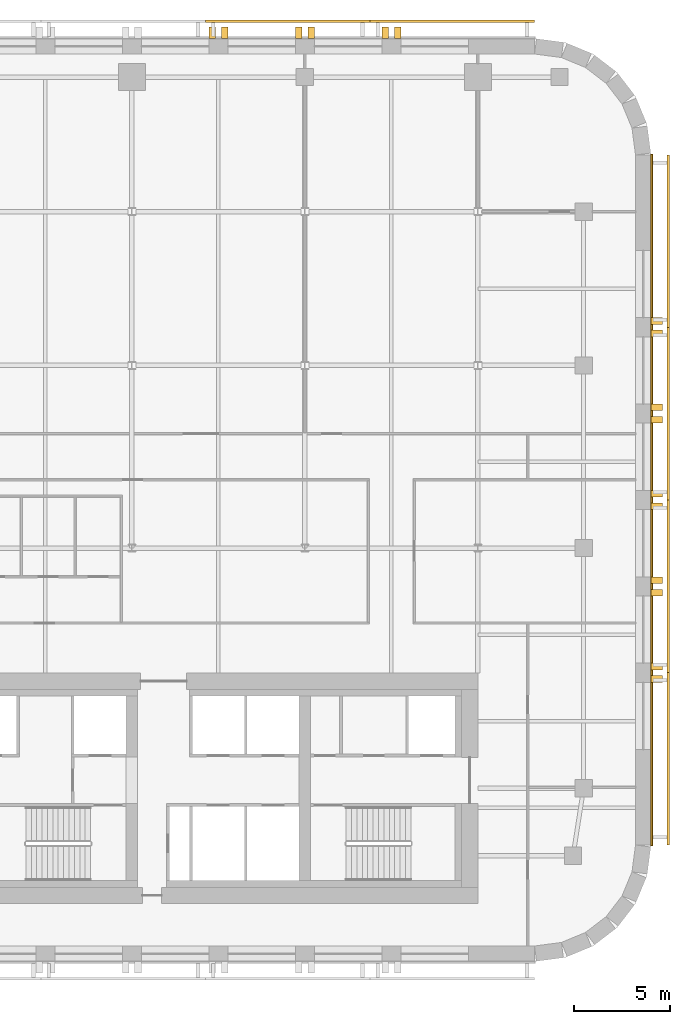
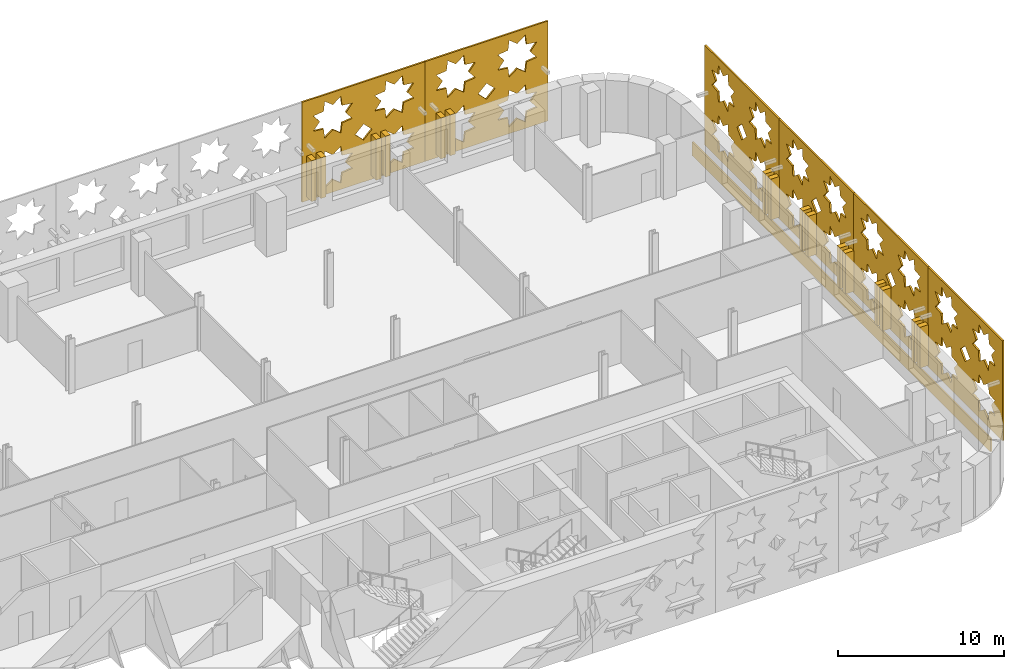
# One storey, part 12 of 12: 23 coverings.
"""IFC4 building model written with IfcOpenShell, lengths in metres."""

from ifc_helpers import new_model, si_unit, direction, frame, origin, place, context, subcontext, project, spatial, polyline, outline, extrude, material, layer, layer_set, type_object, element, save


model = new_model("IFC4")

# Units and contexts
model_context = context("Model", 3, precision=1e-05, world=origin(), true_north=direction((0.0, 1.0)))
body_context = subcontext(model_context, "Body", "Model", "MODEL_VIEW")
ifc_project = project(units=[si_unit("LENGTHUNIT", "METRE"), si_unit("AREAUNIT", "SQUARE_METRE"), si_unit("VOLUMEUNIT", "CUBIC_METRE"), si_unit("PLANEANGLEUNIT", "RADIAN"), si_unit("MASSUNIT", "GRAM", prefix="KILO")], contexts=[model_context])

# Site, building, storey
site_placement = place(None, origin())
site = spatial("IfcSite", under=ifc_project, at=site_placement, CompositionType="ELEMENT")
building_placement = place(site_placement, origin())
building = spatial("IfcBuilding", under=site, at=building_placement, Name="Zellij Exchange Tower", CompositionType="ELEMENT")
storey_placement = place(building_placement, frame((0.0, 0.0, 196.5)))
storey = spatial("IfcBuildingStorey", under=building, at=storey_placement, Name="L45", CompositionType="ELEMENT", Elevation=196.5)

# Coverings
ifc_material_1 = material(Name="Limestone cladding", Category="masonry")
covering_type_1 = type_object("IfcCoveringType", Name="ENV-CV3 Stone pier 350x600", PredefinedType="CLADDING", material=ifc_material_1)
covering_1_placement = place(storey_placement, frame((0.0, 0.0, 0.800048828125)))
element("IfcCovering", 1, at=covering_1_placement, inside=storey, type_object=covering_type_1, Name="Stone pier", PredefinedType="CLADDING", context=body_context, shape_type="SweptSolid", body=[
    extrude(outline(polyline([(36.0, -2.48681640625), (36.0, -2.136962890625), (36.60009765625, -2.136962890625), (36.60009765625, -2.48681640625), (36.0, -2.48681640625)])), origin(), (0.0, 0.0, 1.0), 3.0),
])
covering_2_placement = place(storey_placement, frame((0.0, 0.0, 0.800048828125)))
element("IfcCovering", 2, at=covering_2_placement, inside=storey, type_object=covering_type_1, Name="Stone pier", PredefinedType="CLADDING", context=body_context, shape_type="SweptSolid", body=[
    extrude(outline(polyline([(36.0, -1.8369140625), (36.0, -1.48681640625), (36.60009765625, -1.48681640625), (36.60009765625, -1.8369140625), (36.0, -1.8369140625)])), origin(), (0.0, 0.0, 1.0), 3.0),
])
covering_3_placement = place(storey_placement, frame((0.0, 0.0, 0.800048828125)))
element("IfcCovering", 3, at=covering_3_placement, inside=storey, type_object=covering_type_1, Name="Stone pier", PredefinedType="CLADDING", context=body_context, shape_type="SweptSolid", body=[
    extrude(outline(polyline([(36.0, 2.006591796875), (36.0, 2.3564453125), (36.60009765625, 2.3564453125), (36.60009765625, 2.006591796875), (36.0, 2.006591796875)])), origin(), (0.0, 0.0, 1.0), 3.0),
])
covering_4_placement = place(storey_placement, frame((0.0, 0.0, 0.800048828125)))
element("IfcCovering", 4, at=covering_4_placement, inside=storey, type_object=covering_type_1, Name="Stone pier", PredefinedType="CLADDING", context=body_context, shape_type="SweptSolid", body=[
    extrude(outline(polyline([(36.0, 2.656494140625), (36.0, 3.006591796875), (36.60009765625, 3.006591796875), (36.60009765625, 2.656494140625), (36.0, 2.656494140625)])), origin(), (0.0, 0.0, 1.0), 3.0),
])
covering_5_placement = place(storey_placement, frame((0.0, 0.0, 0.800048828125)))
element("IfcCovering", 5, at=covering_5_placement, inside=storey, type_object=covering_type_1, Name="Stone pier", PredefinedType="CLADDING", context=body_context, shape_type="SweptSolid", body=[
    extrude(outline(polyline([(36.0, 6.5), (36.0, 6.85009765625), (36.60009765625, 6.85009765625), (36.60009765625, 6.5), (36.0, 6.5)])), origin(), (0.0, 0.0, 1.0), 3.0),
])
covering_6_placement = place(storey_placement, frame((0.0, 0.0, 0.800048828125)))
element("IfcCovering", 6, at=covering_6_placement, inside=storey, type_object=covering_type_1, Name="Stone pier", PredefinedType="CLADDING", context=body_context, shape_type="SweptSolid", body=[
    extrude(outline(polyline([(36.0, 7.14990234375), (36.0, 7.5), (36.60009765625, 7.5), (36.60009765625, 7.14990234375), (36.0, 7.14990234375)])), origin(), (0.0, 0.0, 1.0), 3.0),
])
covering_7_placement = place(storey_placement, frame((0.0, 0.0, 0.800048828125)))
element("IfcCovering", 7, at=covering_7_placement, inside=storey, type_object=covering_type_1, Name="Stone pier", PredefinedType="CLADDING", context=body_context, shape_type="SweptSolid", body=[
    extrude(outline(polyline([(36.0, 10.993408203125), (36.0, 11.343505859375), (36.60009765625, 11.343505859375), (36.60009765625, 10.993408203125), (36.0, 10.993408203125)])), origin(), (0.0, 0.0, 1.0), 3.0),
])
covering_8_placement = place(storey_placement, frame((0.0, 0.0, 0.800048828125)))
element("IfcCovering", 8, at=covering_8_placement, inside=storey, type_object=covering_type_1, Name="Stone pier", PredefinedType="CLADDING", context=body_context, shape_type="SweptSolid", body=[
    extrude(outline(polyline([(36.0, 11.643310546875), (36.0, 11.993408203125), (36.60009765625, 11.993408203125), (36.60009765625, 11.643310546875), (36.0, 11.643310546875)])), origin(), (0.0, 0.0, 1.0), 3.0),
])
covering_9_placement = place(storey_placement, frame((0.0, 0.0, 0.800048828125)))
element("IfcCovering", 9, at=covering_9_placement, inside=storey, type_object=covering_type_1, Name="Stone pier", PredefinedType="CLADDING", context=body_context, shape_type="SweptSolid", body=[
    extrude(outline(polyline([(36.0, 15.48681640625), (36.0, 15.8369140625), (36.60009765625, 15.8369140625), (36.60009765625, 15.48681640625), (36.0, 15.48681640625)])), origin(), (0.0, 0.0, 1.0), 3.0),
])
covering_10_placement = place(storey_placement, frame((0.0, 0.0, 0.800048828125)))
element("IfcCovering", 10, at=covering_10_placement, inside=storey, type_object=covering_type_1, Name="Stone pier", PredefinedType="CLADDING", context=body_context, shape_type="SweptSolid", body=[
    extrude(outline(polyline([(36.0, 16.136962890625), (36.0, 16.48681640625), (36.60009765625, 16.48681640625), (36.60009765625, 16.136962890625), (36.0, 16.136962890625)])), origin(), (0.0, 0.0, 1.0), 3.0),
])
covering_11_placement = place(storey_placement, frame((0.0, 0.0, 0.800048828125)))
element("IfcCovering", 11, at=covering_11_placement, inside=storey, type_object=covering_type_1, Name="Stone pier", PredefinedType="CLADDING", context=body_context, shape_type="SweptSolid", body=[
    extrude(outline(polyline([(23.0, 31.0), (22.64990234375, 31.0), (22.64990234375, 31.60009765625), (23.0, 31.60009765625), (23.0, 31.0)])), origin(), (0.0, 0.0, 1.0), 3.0),
])
covering_12_placement = place(storey_placement, frame((0.0, 0.0, 0.800048828125)))
element("IfcCovering", 12, at=covering_12_placement, inside=storey, type_object=covering_type_1, Name="Stone pier", PredefinedType="CLADDING", context=body_context, shape_type="SweptSolid", body=[
    extrude(outline(polyline([(22.35009765625, 31.0), (22.0, 31.0), (22.0, 31.60009765625), (22.35009765625, 31.60009765625), (22.35009765625, 31.0)])), origin(), (0.0, 0.0, 1.0), 3.0),
])
covering_13_placement = place(storey_placement, frame((0.0, 0.0, 0.800048828125)))
element("IfcCovering", 13, at=covering_13_placement, inside=storey, type_object=covering_type_1, Name="Stone pier", PredefinedType="CLADDING", context=body_context, shape_type="SweptSolid", body=[
    extrude(outline(polyline([(18.5, 31.0), (18.14990234375, 31.0), (18.14990234375, 31.60009765625), (18.5, 31.60009765625), (18.5, 31.0)])), origin(), (0.0, 0.0, 1.0), 3.0),
])
covering_14_placement = place(storey_placement, frame((0.0, 0.0, 0.800048828125)))
element("IfcCovering", 14, at=covering_14_placement, inside=storey, type_object=covering_type_1, Name="Stone pier", PredefinedType="CLADDING", context=body_context, shape_type="SweptSolid", body=[
    extrude(outline(polyline([(17.85009765625, 31.0), (17.5, 31.0), (17.5, 31.60009765625), (17.85009765625, 31.60009765625), (17.85009765625, 31.0)])), origin(), (0.0, 0.0, 1.0), 3.0),
])
covering_15_placement = place(storey_placement, frame((0.0, 0.0, 0.800048828125)))
element("IfcCovering", 15, at=covering_15_placement, inside=storey, type_object=covering_type_1, Name="Stone pier", PredefinedType="CLADDING", context=body_context, shape_type="SweptSolid", body=[
    extrude(outline(polyline([(14.0, 31.0), (13.64990234375, 31.0), (13.64990234375, 31.60009765625), (14.0, 31.60009765625), (14.0, 31.0)])), origin(), (0.0, 0.0, 1.0), 3.0),
])
covering_16_placement = place(storey_placement, frame((0.0, 0.0, 0.800048828125)))
element("IfcCovering", 16, at=covering_16_placement, inside=storey, type_object=covering_type_1, Name="Stone pier", PredefinedType="CLADDING", context=body_context, shape_type="SweptSolid", body=[
    extrude(outline(polyline([(13.35009765625, 31.0), (13.0, 31.0), (13.0, 31.60009765625), (13.35009765625, 31.60009765625), (13.35009765625, 31.0)])), origin(), (0.0, 0.0, 1.0), 3.0),
])
ifc_layer_1 = layer(ifc_material_1, 0.10009765625)
ifc_layer_set_1 = layer_set([ifc_layer_1], Name="Limestone cladding")
covering_type_2 = type_object("IfcCoveringType", Name="ENV-CV9 Stone spandrel band 100", PredefinedType="CLADDING", material=ifc_layer_set_1)
covering_17_placement = place(storey_placement, frame((0.0, 0.0, -0.199951171875)))
element("IfcCovering", 17, at=covering_17_placement, inside=storey, type_object=covering_type_2, Name="Stone spandrel band", PredefinedType="CLADDING", context=body_context, shape_type="SweptSolid", body=[
    extrude(outline(polyline([(36.0, -10.973876953125), (36.0, 24.973876953125), (36.10009765625, 24.980224609375), (36.10009765625, -10.980224609375), (36.0, -10.973876953125)])), origin(), (0.0, 0.0, 1.0), 1.0),
])
ifc_material_2 = material(Name="Limestone screen", Category="masonry")
ifc_layer_2 = layer(ifc_material_2, 0.1201171875)
ifc_layer_set_2 = layer_set([ifc_layer_2], Name="Limestone screen")
covering_type_3 = type_object("IfcCoveringType", Name="ENV-SC1 Pierced stone screen 120", PredefinedType="USERDEFINED", material=ifc_layer_set_2)
covering_18_placement = place(storey_placement, frame((29.947509765625, 31.909912109375, 0.300048828125), z_axis=(0.0, 0.0, 1.0), x_axis=(-1.0, 0.0, 0.0)))
element("IfcCovering", 18, at=covering_18_placement, inside=storey, type_object=covering_type_3, Name="Pierced stone screen", ObjectType="SCREEN", PredefinedType="USERDEFINED", context=body_context, shape_type="SweptSolid", body=[
    extrude(outline(polyline([(0.0, 0.0), (8.556396484375, 0.0), (8.556396484375, 7.35009765625), (0.0, 7.35009765625), (0.0, 0.0)]), holes=[polyline([(3.497314453125, 2.39990234375), (2.78369140625, 2.48193359375), (2.70166015625, 3.195556640625), (2.13916015625, 2.748779296875), (1.57666015625, 3.195556640625), (1.49462890625, 2.48193359375), (0.781005859375, 2.39990234375), (1.227783203125, 1.83740234375), (0.781005859375, 1.27490234375), (1.49462890625, 1.193115234375), (1.57666015625, 0.4794921875), (2.13916015625, 0.926025390625), (2.70166015625, 0.4794921875), (2.78369140625, 1.193115234375), (3.497314453125, 1.27490234375), (3.050537109375, 1.83740234375), (3.497314453125, 2.39990234375)]), polyline([(3.497314453125, 6.074951171875), (2.78369140625, 6.156982421875), (2.70166015625, 6.87060546875), (2.13916015625, 6.423828125), (1.57666015625, 6.87060546875), (1.49462890625, 6.156982421875), (0.781005859375, 6.074951171875), (1.227783203125, 5.512451171875), (0.781005859375, 4.949951171875), (1.49462890625, 4.867919921875), (1.57666015625, 4.154296875), (2.13916015625, 4.60107421875), (2.70166015625, 4.154296875), (2.78369140625, 4.867919921875), (3.497314453125, 4.949951171875), (3.050537109375, 5.512451171875), (3.497314453125, 6.074951171875)]), polyline([(7.775390625, 2.39990234375), (7.061767578125, 2.48193359375), (6.97998046875, 3.195556640625), (6.417236328125, 2.748779296875), (5.854736328125, 3.195556640625), (5.77294921875, 2.48193359375), (5.05908203125, 2.39990234375), (5.505859375, 1.83740234375), (5.05908203125, 1.27490234375), (5.77294921875, 1.193115234375), (5.854736328125, 0.4794921875), (6.417236328125, 0.926025390625), (6.97998046875, 0.4794921875), (7.061767578125, 1.193115234375), (7.775390625, 1.27490234375), (7.32861328125, 1.83740234375), (7.775390625, 2.39990234375)]), polyline([(7.775390625, 6.074951171875), (7.061767578125, 6.156982421875), (6.97998046875, 6.87060546875), (6.417236328125, 6.423828125), (5.854736328125, 6.87060546875), (5.77294921875, 6.156982421875), (5.05908203125, 6.074951171875), (5.505859375, 5.512451171875), (5.05908203125, 4.949951171875), (5.77294921875, 4.867919921875), (5.854736328125, 4.154296875), (6.417236328125, 4.60107421875), (6.97998046875, 4.154296875), (7.061767578125, 4.867919921875), (7.775390625, 4.949951171875), (7.32861328125, 5.512451171875), (7.775390625, 6.074951171875)]), polyline([(4.8662109375, 3.675048828125), (4.2783203125, 4.262939453125), (3.690185546875, 3.675048828125), (4.2783203125, 3.0869140625), (4.8662109375, 3.675048828125)])]), frame((0.0, 0.06005859375, 0.0), z_axis=(0.0, -1.0, 0.0), x_axis=(1.0, 0.0, 0.0)), (0.0, 0.0, 1.0), 0.1201171875),
])
covering_19_placement = place(storey_placement, frame((21.39111328125, 31.909912109375, 0.300048828125), z_axis=(0.0, 0.0, 1.0), x_axis=(-1.0, 0.0, 0.0)))
element("IfcCovering", 19, at=covering_19_placement, inside=storey, type_object=covering_type_3, Name="Pierced stone screen", ObjectType="SCREEN", PredefinedType="USERDEFINED", context=body_context, shape_type="SweptSolid", body=[
    extrude(outline(polyline([(0.0, 0.0), (8.556396484375, 0.0), (8.556396484375, 7.35009765625), (0.0, 7.35009765625), (0.0, 0.0)]), holes=[polyline([(3.497314453125, 2.39990234375), (2.78369140625, 2.48193359375), (2.70166015625, 3.195556640625), (2.13916015625, 2.748779296875), (1.57666015625, 3.195556640625), (1.49462890625, 2.48193359375), (0.781005859375, 2.39990234375), (1.227783203125, 1.83740234375), (0.781005859375, 1.27490234375), (1.49462890625, 1.193115234375), (1.57666015625, 0.4794921875), (2.13916015625, 0.926025390625), (2.70166015625, 0.4794921875), (2.78369140625, 1.193115234375), (3.497314453125, 1.27490234375), (3.050537109375, 1.83740234375), (3.497314453125, 2.39990234375)]), polyline([(3.497314453125, 6.074951171875), (2.78369140625, 6.156982421875), (2.70166015625, 6.87060546875), (2.13916015625, 6.423828125), (1.57666015625, 6.87060546875), (1.49462890625, 6.156982421875), (0.781005859375, 6.074951171875), (1.227783203125, 5.512451171875), (0.781005859375, 4.949951171875), (1.49462890625, 4.867919921875), (1.57666015625, 4.154296875), (2.13916015625, 4.60107421875), (2.70166015625, 4.154296875), (2.78369140625, 4.867919921875), (3.497314453125, 4.949951171875), (3.050537109375, 5.512451171875), (3.497314453125, 6.074951171875)]), polyline([(7.775390625, 2.39990234375), (7.061767578125, 2.48193359375), (6.97998046875, 3.195556640625), (6.417236328125, 2.748779296875), (5.854736328125, 3.195556640625), (5.77294921875, 2.48193359375), (5.05908203125, 2.39990234375), (5.505859375, 1.83740234375), (5.05908203125, 1.27490234375), (5.77294921875, 1.193115234375), (5.854736328125, 0.4794921875), (6.417236328125, 0.926025390625), (6.97998046875, 0.4794921875), (7.061767578125, 1.193115234375), (7.775390625, 1.27490234375), (7.32861328125, 1.83740234375), (7.775390625, 2.39990234375)]), polyline([(7.775390625, 6.074951171875), (7.061767578125, 6.156982421875), (6.97998046875, 6.87060546875), (6.417236328125, 6.423828125), (5.854736328125, 6.87060546875), (5.77294921875, 6.156982421875), (5.05908203125, 6.074951171875), (5.505859375, 5.512451171875), (5.05908203125, 4.949951171875), (5.77294921875, 4.867919921875), (5.854736328125, 4.154296875), (6.417236328125, 4.60107421875), (6.97998046875, 4.154296875), (7.061767578125, 4.867919921875), (7.775390625, 4.949951171875), (7.32861328125, 5.512451171875), (7.775390625, 6.074951171875)]), polyline([(4.8662109375, 3.675048828125), (4.2783203125, 4.262939453125), (3.690185546875, 3.675048828125), (4.2783203125, 3.0869140625), (4.8662109375, 3.675048828125)])]), frame((0.0, 0.06005859375, 0.0), z_axis=(0.0, -1.0, 0.0), x_axis=(1.0, 0.0, 0.0)), (0.0, 0.0, 1.0), 0.1201171875),
])
covering_20_placement = place(storey_placement, frame((36.909912109375, -10.947509765625, 0.300048828125), z_axis=(0.0, 0.0, 1.0), x_axis=(0.0, 1.0, 0.0)))
element("IfcCovering", 20, at=covering_20_placement, inside=storey, type_object=covering_type_3, Name="Pierced stone screen", ObjectType="SCREEN", PredefinedType="USERDEFINED", context=body_context, shape_type="SweptSolid", body=[
    extrude(outline(polyline([(0.0, 0.0), (8.973876953125, 0.0), (8.973876953125, 7.35009765625), (0.0, 7.35009765625), (0.0, 0.0)]), holes=[polyline([(3.6015625, 2.39990234375), (2.887939453125, 2.48193359375), (2.805908203125, 3.195556640625), (2.243408203125, 2.748779296875), (1.680908203125, 3.195556640625), (1.59912109375, 2.48193359375), (0.88525390625, 2.39990234375), (1.33203125, 1.83740234375), (0.88525390625, 1.27490234375), (1.59912109375, 1.193115234375), (1.680908203125, 0.4794921875), (2.243408203125, 0.926025390625), (2.805908203125, 0.4794921875), (2.887939453125, 1.193115234375), (3.6015625, 1.27490234375), (3.15478515625, 1.83740234375), (3.6015625, 2.39990234375)]), polyline([(3.6015625, 6.074951171875), (2.887939453125, 6.156982421875), (2.805908203125, 6.87060546875), (2.243408203125, 6.423828125), (1.680908203125, 6.87060546875), (1.59912109375, 6.156982421875), (0.88525390625, 6.074951171875), (1.33203125, 5.512451171875), (0.88525390625, 4.949951171875), (1.59912109375, 4.867919921875), (1.680908203125, 4.154296875), (2.243408203125, 4.60107421875), (2.805908203125, 4.154296875), (2.887939453125, 4.867919921875), (3.6015625, 4.949951171875), (3.15478515625, 5.512451171875), (3.6015625, 6.074951171875)]), polyline([(8.08837890625, 2.39990234375), (7.374755859375, 2.48193359375), (7.29296875, 3.195556640625), (6.730224609375, 2.748779296875), (6.167724609375, 3.195556640625), (6.0859375, 2.48193359375), (5.372314453125, 2.39990234375), (5.81884765625, 1.83740234375), (5.372314453125, 1.27490234375), (6.0859375, 1.193115234375), (6.167724609375, 0.4794921875), (6.730224609375, 0.926025390625), (7.29296875, 0.4794921875), (7.374755859375, 1.193115234375), (8.08837890625, 1.27490234375), (7.6416015625, 1.83740234375), (8.08837890625, 2.39990234375)]), polyline([(8.08837890625, 6.074951171875), (7.374755859375, 6.156982421875), (7.29296875, 6.87060546875), (6.730224609375, 6.423828125), (6.167724609375, 6.87060546875), (6.0859375, 6.156982421875), (5.372314453125, 6.074951171875), (5.81884765625, 5.512451171875), (5.372314453125, 4.949951171875), (6.0859375, 4.867919921875), (6.167724609375, 4.154296875), (6.730224609375, 4.60107421875), (7.29296875, 4.154296875), (7.374755859375, 4.867919921875), (8.08837890625, 4.949951171875), (7.6416015625, 5.512451171875), (8.08837890625, 6.074951171875)]), polyline([(5.074951171875, 3.675048828125), (4.48681640625, 4.262939453125), (3.89892578125, 3.675048828125), (4.48681640625, 3.0869140625), (5.074951171875, 3.675048828125)])]), frame((0.0, 0.06005859375, 0.0), z_axis=(0.0, -1.0, 0.0), x_axis=(1.0, 0.0, 0.0)), (0.0, 0.0, 1.0), 0.1201171875),
])
covering_21_placement = place(storey_placement, frame((36.909912109375, -1.973876953125, 0.300048828125), z_axis=(0.0, 0.0, 1.0), x_axis=(0.0, 1.0, 0.0)))
element("IfcCovering", 21, at=covering_21_placement, inside=storey, type_object=covering_type_3, Name="Pierced stone screen", ObjectType="SCREEN", PredefinedType="USERDEFINED", context=body_context, shape_type="SweptSolid", body=[
    extrude(outline(polyline([(0.0, 0.0), (8.973876953125, 0.0), (8.973876953125, 7.35009765625), (0.0, 7.35009765625), (0.0, 0.0)]), holes=[polyline([(3.6015625, 2.39990234375), (2.887939453125, 2.48193359375), (2.805908203125, 3.195556640625), (2.243408203125, 2.748779296875), (1.680908203125, 3.195556640625), (1.59912109375, 2.48193359375), (0.88525390625, 2.39990234375), (1.33203125, 1.83740234375), (0.88525390625, 1.27490234375), (1.59912109375, 1.193115234375), (1.680908203125, 0.4794921875), (2.243408203125, 0.926025390625), (2.805908203125, 0.4794921875), (2.887939453125, 1.193115234375), (3.6015625, 1.27490234375), (3.15478515625, 1.83740234375), (3.6015625, 2.39990234375)]), polyline([(3.6015625, 6.074951171875), (2.887939453125, 6.156982421875), (2.805908203125, 6.87060546875), (2.243408203125, 6.423828125), (1.680908203125, 6.87060546875), (1.59912109375, 6.156982421875), (0.88525390625, 6.074951171875), (1.33203125, 5.512451171875), (0.88525390625, 4.949951171875), (1.59912109375, 4.867919921875), (1.680908203125, 4.154296875), (2.243408203125, 4.60107421875), (2.805908203125, 4.154296875), (2.887939453125, 4.867919921875), (3.6015625, 4.949951171875), (3.15478515625, 5.512451171875), (3.6015625, 6.074951171875)]), polyline([(8.08837890625, 2.39990234375), (7.374755859375, 2.48193359375), (7.29296875, 3.195556640625), (6.730224609375, 2.748779296875), (6.167724609375, 3.195556640625), (6.0859375, 2.48193359375), (5.372314453125, 2.39990234375), (5.81884765625, 1.83740234375), (5.372314453125, 1.27490234375), (6.0859375, 1.193115234375), (6.167724609375, 0.4794921875), (6.730224609375, 0.926025390625), (7.29296875, 0.4794921875), (7.374755859375, 1.193115234375), (8.08837890625, 1.27490234375), (7.6416015625, 1.83740234375), (8.08837890625, 2.39990234375)]), polyline([(8.08837890625, 6.074951171875), (7.374755859375, 6.156982421875), (7.29296875, 6.87060546875), (6.730224609375, 6.423828125), (6.167724609375, 6.87060546875), (6.0859375, 6.156982421875), (5.372314453125, 6.074951171875), (5.81884765625, 5.512451171875), (5.372314453125, 4.949951171875), (6.0859375, 4.867919921875), (6.167724609375, 4.154296875), (6.730224609375, 4.60107421875), (7.29296875, 4.154296875), (7.374755859375, 4.867919921875), (8.08837890625, 4.949951171875), (7.6416015625, 5.512451171875), (8.08837890625, 6.074951171875)]), polyline([(5.074951171875, 3.675048828125), (4.48681640625, 4.262939453125), (3.89892578125, 3.675048828125), (4.48681640625, 3.0869140625), (5.074951171875, 3.675048828125)])]), frame((0.0, 0.06005859375, 0.0), z_axis=(0.0, -1.0, 0.0), x_axis=(1.0, 0.0, 0.0)), (0.0, 0.0, 1.0), 0.1201171875),
])
covering_22_placement = place(storey_placement, frame((36.909912109375, 7.0, 0.300048828125), z_axis=(0.0, 0.0, 1.0), x_axis=(0.0, 1.0, 0.0)))
element("IfcCovering", 22, at=covering_22_placement, inside=storey, type_object=covering_type_3, Name="Pierced stone screen", ObjectType="SCREEN", PredefinedType="USERDEFINED", context=body_context, shape_type="SweptSolid", body=[
    extrude(outline(polyline([(0.0, 0.0), (8.973876953125, 0.0), (8.973876953125, 7.35009765625), (0.0, 7.35009765625), (0.0, 0.0)]), holes=[polyline([(3.6015625, 2.39990234375), (2.887939453125, 2.48193359375), (2.805908203125, 3.195556640625), (2.243408203125, 2.748779296875), (1.680908203125, 3.195556640625), (1.59912109375, 2.48193359375), (0.88525390625, 2.39990234375), (1.33203125, 1.83740234375), (0.88525390625, 1.27490234375), (1.59912109375, 1.193115234375), (1.680908203125, 0.4794921875), (2.243408203125, 0.926025390625), (2.805908203125, 0.4794921875), (2.887939453125, 1.193115234375), (3.6015625, 1.27490234375), (3.15478515625, 1.83740234375), (3.6015625, 2.39990234375)]), polyline([(3.6015625, 6.074951171875), (2.887939453125, 6.156982421875), (2.805908203125, 6.87060546875), (2.243408203125, 6.423828125), (1.680908203125, 6.87060546875), (1.59912109375, 6.156982421875), (0.88525390625, 6.074951171875), (1.33203125, 5.512451171875), (0.88525390625, 4.949951171875), (1.59912109375, 4.867919921875), (1.680908203125, 4.154296875), (2.243408203125, 4.60107421875), (2.805908203125, 4.154296875), (2.887939453125, 4.867919921875), (3.6015625, 4.949951171875), (3.15478515625, 5.512451171875), (3.6015625, 6.074951171875)]), polyline([(8.08837890625, 2.39990234375), (7.374755859375, 2.48193359375), (7.29296875, 3.195556640625), (6.730224609375, 2.748779296875), (6.167724609375, 3.195556640625), (6.0859375, 2.48193359375), (5.372314453125, 2.39990234375), (5.81884765625, 1.83740234375), (5.372314453125, 1.27490234375), (6.0859375, 1.193115234375), (6.167724609375, 0.4794921875), (6.730224609375, 0.926025390625), (7.29296875, 0.4794921875), (7.374755859375, 1.193115234375), (8.08837890625, 1.27490234375), (7.6416015625, 1.83740234375), (8.08837890625, 2.39990234375)]), polyline([(8.08837890625, 6.074951171875), (7.374755859375, 6.156982421875), (7.29296875, 6.87060546875), (6.730224609375, 6.423828125), (6.167724609375, 6.87060546875), (6.0859375, 6.156982421875), (5.372314453125, 6.074951171875), (5.81884765625, 5.512451171875), (5.372314453125, 4.949951171875), (6.0859375, 4.867919921875), (6.167724609375, 4.154296875), (6.730224609375, 4.60107421875), (7.29296875, 4.154296875), (7.374755859375, 4.867919921875), (8.08837890625, 4.949951171875), (7.6416015625, 5.512451171875), (8.08837890625, 6.074951171875)]), polyline([(5.074951171875, 3.675048828125), (4.48681640625, 4.262939453125), (3.89892578125, 3.675048828125), (4.48681640625, 3.0869140625), (5.074951171875, 3.675048828125)])]), frame((0.0, 0.06005859375, 0.0), z_axis=(0.0, -1.0, 0.0), x_axis=(1.0, 0.0, 0.0)), (0.0, 0.0, 1.0), 0.1201171875),
])
covering_23_placement = place(storey_placement, frame((36.909912109375, 15.973876953125, 0.300048828125), z_axis=(0.0, 0.0, 1.0), x_axis=(0.0, 1.0, 0.0)))
element("IfcCovering", 23, at=covering_23_placement, inside=storey, type_object=covering_type_3, Name="Pierced stone screen", ObjectType="SCREEN", PredefinedType="USERDEFINED", context=body_context, shape_type="SweptSolid", body=[
    extrude(outline(polyline([(0.0, 0.0), (8.973876953125, 0.0), (8.973876953125, 7.35009765625), (0.0, 7.35009765625), (0.0, 0.0)]), holes=[polyline([(3.6015625, 2.39990234375), (2.887939453125, 2.48193359375), (2.805908203125, 3.195556640625), (2.243408203125, 2.748779296875), (1.680908203125, 3.195556640625), (1.59912109375, 2.48193359375), (0.88525390625, 2.39990234375), (1.33203125, 1.83740234375), (0.88525390625, 1.27490234375), (1.59912109375, 1.193115234375), (1.680908203125, 0.4794921875), (2.243408203125, 0.926025390625), (2.805908203125, 0.4794921875), (2.887939453125, 1.193115234375), (3.6015625, 1.27490234375), (3.15478515625, 1.83740234375), (3.6015625, 2.39990234375)]), polyline([(3.6015625, 6.074951171875), (2.887939453125, 6.156982421875), (2.805908203125, 6.87060546875), (2.243408203125, 6.423828125), (1.680908203125, 6.87060546875), (1.59912109375, 6.156982421875), (0.88525390625, 6.074951171875), (1.33203125, 5.512451171875), (0.88525390625, 4.949951171875), (1.59912109375, 4.867919921875), (1.680908203125, 4.154296875), (2.243408203125, 4.60107421875), (2.805908203125, 4.154296875), (2.887939453125, 4.867919921875), (3.6015625, 4.949951171875), (3.15478515625, 5.512451171875), (3.6015625, 6.074951171875)]), polyline([(8.08837890625, 2.39990234375), (7.374755859375, 2.48193359375), (7.29296875, 3.195556640625), (6.730224609375, 2.748779296875), (6.167724609375, 3.195556640625), (6.0859375, 2.48193359375), (5.372314453125, 2.39990234375), (5.81884765625, 1.83740234375), (5.372314453125, 1.27490234375), (6.0859375, 1.193115234375), (6.167724609375, 0.4794921875), (6.730224609375, 0.926025390625), (7.29296875, 0.4794921875), (7.374755859375, 1.193115234375), (8.08837890625, 1.27490234375), (7.6416015625, 1.83740234375), (8.08837890625, 2.39990234375)]), polyline([(8.08837890625, 6.074951171875), (7.374755859375, 6.156982421875), (7.29296875, 6.87060546875), (6.730224609375, 6.423828125), (6.167724609375, 6.87060546875), (6.0859375, 6.156982421875), (5.372314453125, 6.074951171875), (5.81884765625, 5.512451171875), (5.372314453125, 4.949951171875), (6.0859375, 4.867919921875), (6.167724609375, 4.154296875), (6.730224609375, 4.60107421875), (7.29296875, 4.154296875), (7.374755859375, 4.867919921875), (8.08837890625, 4.949951171875), (7.6416015625, 5.512451171875), (8.08837890625, 6.074951171875)]), polyline([(5.074951171875, 3.675048828125), (4.48681640625, 4.262939453125), (3.89892578125, 3.675048828125), (4.48681640625, 3.0869140625), (5.074951171875, 3.675048828125)])]), frame((0.0, 0.06005859375, 0.0), z_axis=(0.0, -1.0, 0.0), x_axis=(1.0, 0.0, 0.0)), (0.0, 0.0, 1.0), 0.1201171875),
])

save(model, "model.ifc")
